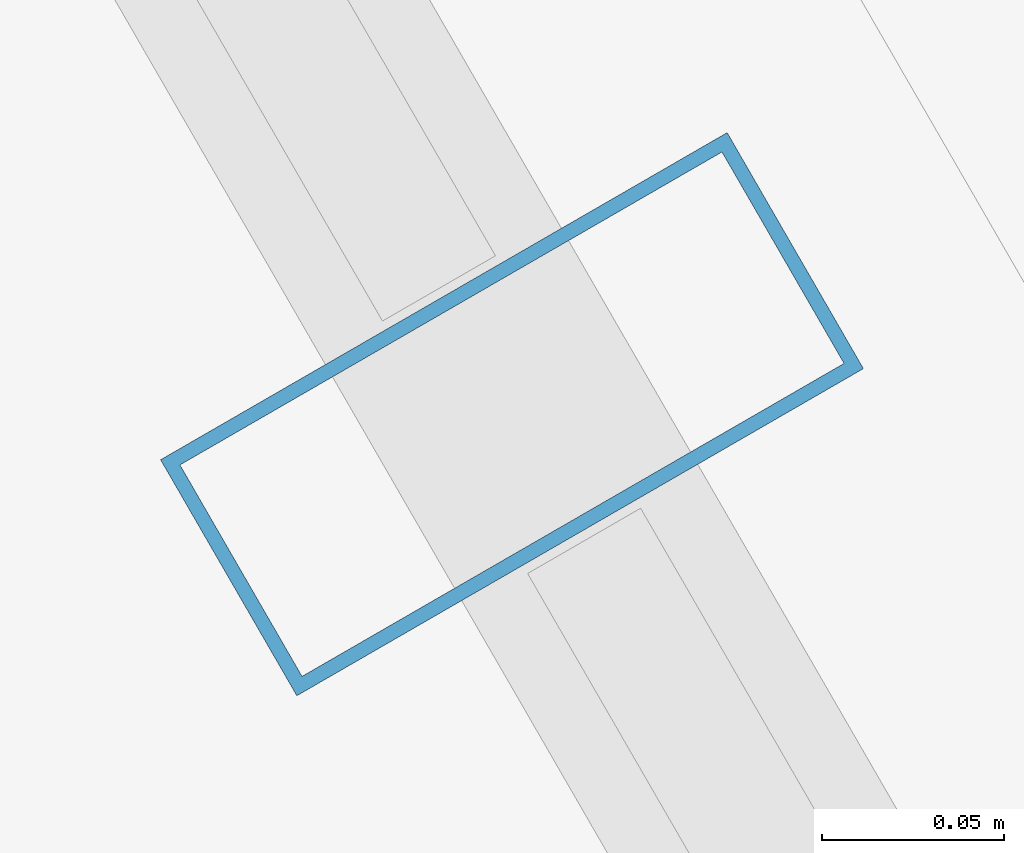
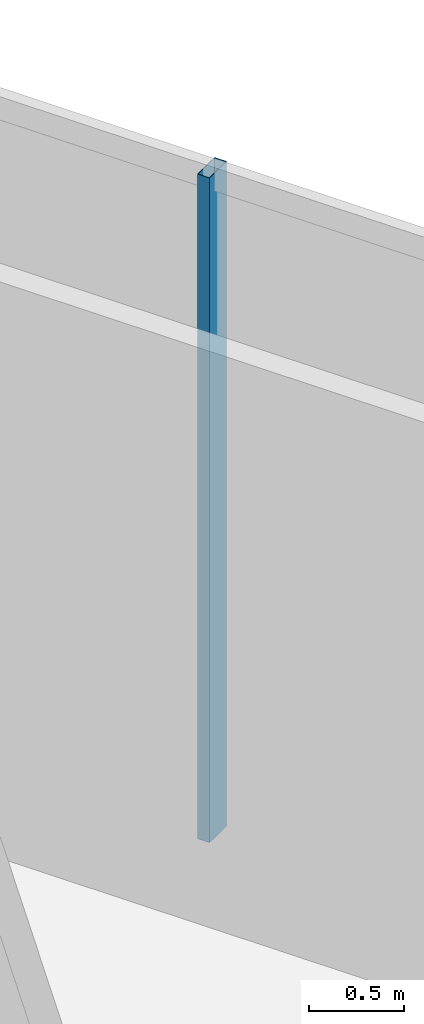
# One storey, part 25 of 32: 1 member, 1 element without a shape of its own.
"""IFC4 building model written with IfcOpenShell, lengths in metres."""

from ifc_helpers import new_model, si_unit, direction, frame, origin, origin_2d, place, context, subcontext, project, spatial, hollow_rectangle, extrude, material, layer, layer_set, material_profile, profile_set, type_object, element, aggregate, save


model = new_model("IFC4")

# Units and contexts
model_context = context("Model", 3, precision=1e-05, world=origin(), true_north=direction((0.0, 1.0)))
body_context = subcontext(model_context, "Body", "Model", "MODEL_VIEW")
ifc_project = project(units=[si_unit("LENGTHUNIT", "METRE"), si_unit("AREAUNIT", "SQUARE_METRE"), si_unit("VOLUMEUNIT", "CUBIC_METRE"), si_unit("PLANEANGLEUNIT", "RADIAN"), si_unit("MASSUNIT", "GRAM", prefix="KILO")], contexts=[model_context])

# Site, building, storey
site_placement = place(None, origin())
site = spatial("IfcSite", under=ifc_project, at=site_placement, CompositionType="ELEMENT")
building_placement = place(site_placement, origin())
building = spatial("IfcBuilding", under=site, at=building_placement, Name="Ndaravel Arena Tower", CompositionType="ELEMENT")
storey_placement = place(building_placement, frame((0.0, 0.0, 278.800048828125)))
storey = spatial("IfcBuildingStorey", under=building, at=storey_placement, Name="L68", CompositionType="ELEMENT", Elevation=278.800048828125)

# Curtain wall, member
ifc_material_1 = material(Name="Aluminium", Category="aluminium")
ifc_layer = layer(ifc_material_1, 0.179931640625)
ifc_layer_set = layer_set([ifc_layer], Name="Aluminium")
curtain_wall_type = type_object("IfcCurtainWallType", Name="CW-SYS-03", PredefinedType="NOTDEFINED", material=ifc_layer_set)
curtain_wall_placement = place(storey_placement, origin())
curtain_wall = element("IfcCurtainWall", 1, at=curtain_wall_placement, inside=storey, type_object=curtain_wall_type, Name="L68 Faceted Crystal Curtain Wall CW-L68-E03", PredefinedType="NOTDEFINED")
ifc_material_2 = material(Name="Aluminium", Category="aluminium")
ifc_material_profile = material_profile(ifc_material_2, hollow_rectangle(XDim=0.074951171875, YDim=0.179931640625, WallThickness=0.00390625, at=origin_2d()), Name="CW MULLION 75x180x4")
ifc_profile_set = profile_set([ifc_material_profile], Name="Aluminium")
member_type = type_object("IfcMemberType", Name="MEM-CW-MUL180", PredefinedType="MULLION", material=ifc_profile_set)
member_placement = place(storey_placement, frame((53.25634765625, 28.5078125, 0.0), z_axis=(0.0, 0.0, 1.0), x_axis=(-0.5, 0.866025403784, 0.0)))
member = element("IfcMember", 2, at=member_placement, type_object=member_type, Name="CW-L68-E03 Mullion 05", PredefinedType="MULLION", context=body_context, shape_type="SweptSolid", body=[
    extrude(hollow_rectangle(XDim=0.074951171875, YDim=0.179931640625, WallThickness=0.00390625, at=origin_2d()), origin(), (0.0, 0.0, 1.0), 4.280029296875),
])
aggregate(curtain_wall, [member])

save(model, "model.ifc")
